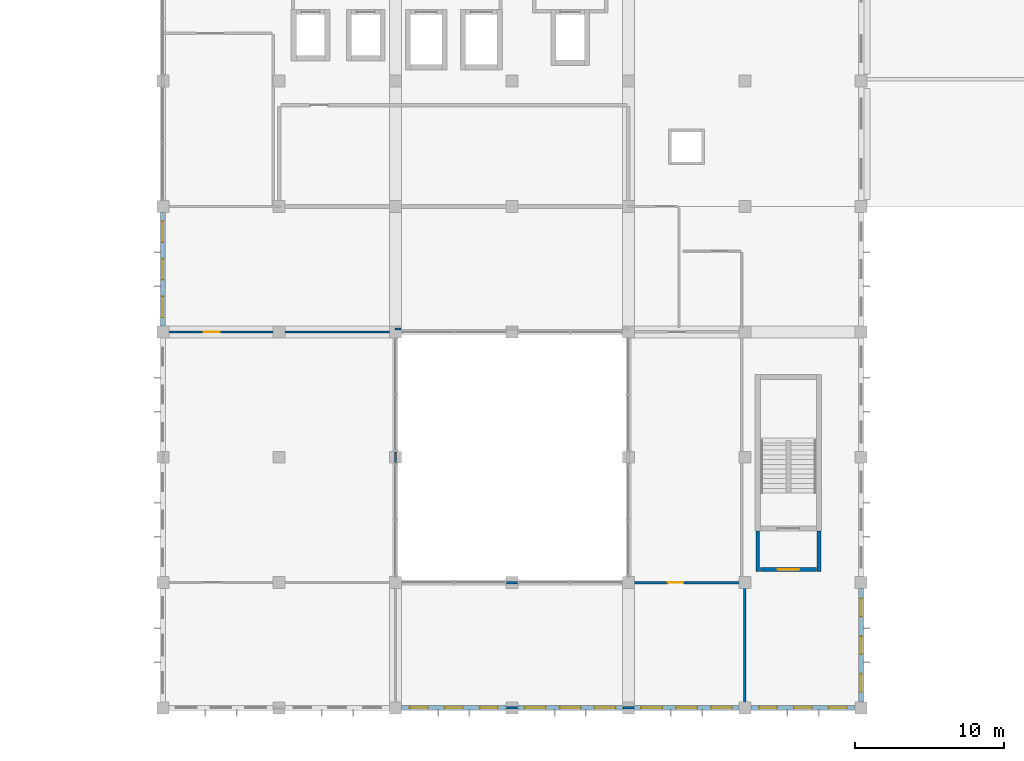
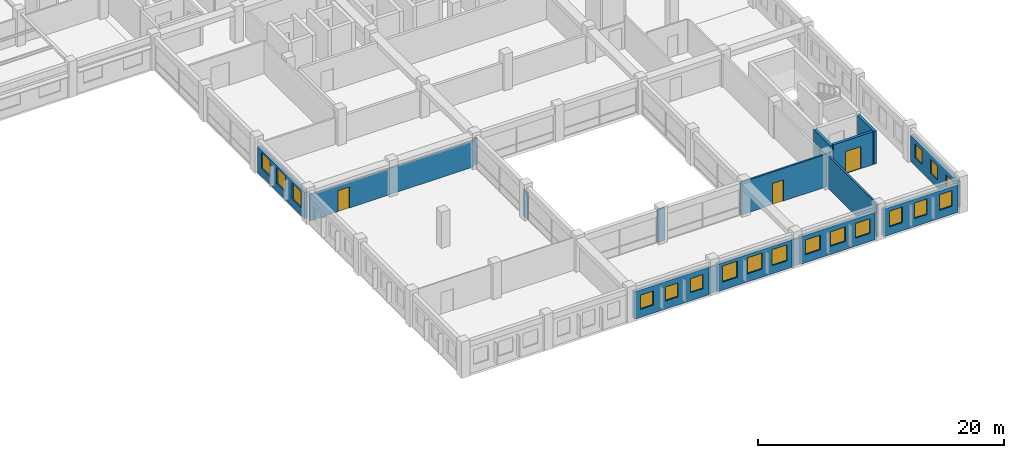
# One storey, part 39 of 50: 18 windows, 17 walls, 3 doors, 21 openings.
"""IFC4 building model written with IfcOpenShell, lengths in metres."""

from ifc_helpers import new_model, si_unit, direction, frame, frame_2d, origin, place, context, subcontext, project, spatial, rectangle, extrude, material, layer, layer_set, type_object, element, fill, save


model = new_model("IFC4")

# Units and contexts
model_context = context("Model", 3, precision=1e-05, world=origin(), true_north=direction((0.0, 1.0)))
body_context = subcontext(model_context, "Body", "Model", "MODEL_VIEW")
ifc_project = project(units=[si_unit("LENGTHUNIT", "METRE"), si_unit("AREAUNIT", "SQUARE_METRE"), si_unit("VOLUMEUNIT", "CUBIC_METRE"), si_unit("PLANEANGLEUNIT", "RADIAN"), si_unit("MASSUNIT", "GRAM", prefix="KILO"), si_unit("THERMODYNAMICTEMPERATUREUNIT", "KELVIN"), si_unit("POWERUNIT", "WATT")], contexts=[model_context])

# Site, building, storey
site_placement = place(None, origin())
site = spatial("IfcSite", under=ifc_project, at=site_placement, CompositionType="ELEMENT")
building_placement = place(site_placement, origin())
building = spatial("IfcBuilding", under=site, at=building_placement, Name="Srebrne Nadtorze General Hospital", CompositionType="ELEMENT")
storey_placement = place(building_placement, frame((0.0, 0.0, 14.39990234375)))
storey = spatial("IfcBuildingStorey", under=building, at=storey_placement, Name="L03", CompositionType="ELEMENT", Elevation=14.39990234375)

# Wall, opening, door
ifc_material_1 = material(Name="Gypsum Healthcare Partition")
ifc_layer_1 = layer(ifc_material_1, 0.139892578125)
ifc_layer_set_1 = layer_set([ifc_layer_1], Name="Gypsum Healthcare Partition")
wall_type_1 = type_object("IfcWallType", Name="Clinical partition 140", PredefinedType="PARTITIONING", material=ifc_layer_set_1)
wall_1_placement = place(storey_placement, frame((101.485107421875, 25.199951171875, 0.0), z_axis=(0.0, 0.0, 1.0), x_axis=(1.0, 0.0, 0.0)))
wall_1 = element("IfcWall", 1, at=wall_1_placement, inside=storey, type_object=wall_type_1, Name="Outpatient Rehabilitation Clinic wall WL-INT-L03-1627", PredefinedType="PARTITIONING", context=body_context, shape_type="SweptSolid", body=[
    extrude(rectangle(XDim=15.429931640625, YDim=0.139892578125, at=frame_2d((7.71484375, 0.0))), origin(), (0.0, 0.0, 1.0), 2.6201171875),
])
opening_1_placement = place(wall_1_placement, frame((2.673828125, 0.0, 0.0)))
opening_1 = element("IfcOpeningElement", 2, at=opening_1_placement, cuts=wall_1, Name="Opening D-L03-0271", PredefinedType="OPENING", context=body_context, shape_type="SweptSolid", body=[
    extrude(rectangle(XDim=1.050048828125, YDim=2.10009765625, at=frame_2d((0.52490234375, 1.050048828125))), frame((0.0, 0.08203125, 0.0), z_axis=(0.0, -1.0, 0.0), x_axis=(1.0, 0.0, 0.0)), (0.0, 0.0, 1.0), 0.163818359375),
])
ifc_material_2 = material(Name="Anodised Aluminium", Category="aluminium")
door_type_1 = type_object("IfcDoorType", Name="Single leaf door 1050x2100", OperationType="NOTDEFINED", PredefinedType="DOOR", material=ifc_material_2)
door_1_placement = place(opening_1_placement, frame((1.050048828125, 0.0, 0.0), z_axis=(0.0, 0.0, 1.0), x_axis=(-1.0, 0.0, 0.0)))
door_1 = element("IfcDoor", 3, at=door_1_placement, inside=storey, type_object=door_type_1, Name="Outpatient Rehabilitation Clinic door D-L03-0271", OperationType="SINGLE_SWING_RIGHT", OverallHeight=2.10009765625, OverallWidth=1.050048828125, PredefinedType="DOOR", context=body_context, shape_type="SweptSolid", body=[
    extrude(rectangle(XDim=1.050048828125, YDim=2.10009765625, at=frame_2d((0.52490234375, 1.050048828125))), frame((0.0, 0.02490234375, 0.0), z_axis=(0.0, -1.0, 0.0), x_axis=(1.0, 0.0, 0.0)), (0.0, 0.0, 1.0), 0.050048828125),
])
fill(opening_1, door_1)

# Walls
wall_2_placement = place(storey_placement, frame((117.0, 16.43994140625, 0.0), z_axis=(0.0, 0.0, 1.0), x_axis=(0.0, 1.0, 0.0)))
element("IfcWall", 4, at=wall_2_placement, inside=storey, type_object=wall_type_1, Name="Outpatient Rehabilitation Clinic wall WL-INT-L03-1629", PredefinedType="PARTITIONING", context=body_context, shape_type="SweptSolid", body=[
    extrude(rectangle(XDim=0.719970703125, YDim=0.139892578125, at=frame_2d((0.35986328125, 0.0))), origin(), (0.0, 0.0, 1.0), 2.6201171875),
])
wall_3_placement = place(storey_placement, frame((116.955078125, 25.39990234375, 0.0), z_axis=(0.0, 0.0, 1.0), x_axis=(1.0, 0.0, 0.0)))
element("IfcWall", 5, at=wall_3_placement, inside=storey, type_object=wall_type_1, Name="Outpatient Speech and Audiology Clinic wall WL-INT-L03-1662", PredefinedType="PARTITIONING", context=body_context, shape_type="SweptSolid", body=[
    extrude(rectangle(XDim=0.405029296875, YDim=0.139892578125, at=frame_2d((0.20263671875, 0.0))), origin(), (0.0, 0.0, 1.0), 2.6201171875),
])
ifc_material_3 = material(Name="Gypsum Healthcare Partition")
ifc_layer_2 = layer(ifc_material_3, 0.159912109375)
ifc_layer_set_2 = layer_set([ifc_layer_2], Name="Gypsum Healthcare Partition")
wall_type_2 = type_object("IfcWallType", Name="Clinical partition 160", PredefinedType="PARTITIONING", material=ifc_layer_set_2)
wall_4_placement = place(storey_placement, frame((124.43994140625, 8.39990234375, 0.0), z_axis=(0.0, 0.0, 1.0), x_axis=(1.0, 0.0, 0.0)))
element("IfcWall", 6, at=wall_4_placement, inside=storey, type_object=wall_type_2, Name="Outpatient Neurology Clinic wall WL-INT-L03-1622", PredefinedType="PARTITIONING", context=body_context, shape_type="SweptSolid", body=[
    extrude(rectangle(XDim=0.719970703125, YDim=0.159912109375, at=frame_2d((0.35986328125, 0.0))), origin(), (0.0, 0.0, 1.0), 3.25),
])

# Wall, opening, door
wall_5_placement = place(storey_placement, frame((132.239990234375, 8.39990234375, 0.0), z_axis=(0.0, 0.0, 1.0), x_axis=(1.0, 0.0, 0.0)))
wall_5 = element("IfcWall", 7, at=wall_5_placement, inside=storey, type_object=wall_type_2, Name="Outpatient Neurology Clinic wall WL-INT-L03-1623", PredefinedType="PARTITIONING", context=body_context, shape_type="SweptSolid", body=[
    extrude(rectangle(XDim=8.074951171875, YDim=0.159912109375, at=frame_2d((4.03759765625, 0.0))), origin(), (0.0, 0.0, 1.0), 3.25),
])
opening_2_placement = place(wall_5_placement, frame((2.997314453125, 0.0, 0.0)))
opening_2 = element("IfcOpeningElement", 8, at=opening_2_placement, cuts=wall_5, Name="Opening D-L03-0270", PredefinedType="OPENING", context=body_context, shape_type="SweptSolid", body=[
    extrude(rectangle(XDim=1.050048828125, YDim=2.10009765625, at=frame_2d((0.52490234375, 1.050048828125))), frame((0.0, 0.091796875, 0.0), z_axis=(0.0, -1.0, 0.0), x_axis=(1.0, 0.0, 0.0)), (0.0, 0.0, 1.0), 0.183837890625),
])
door_2_placement = place(opening_2_placement, frame((1.050048828125, 0.0, 0.0), z_axis=(0.0, 0.0, 1.0), x_axis=(-1.0, 0.0, 0.0)))
door_2 = element("IfcDoor", 9, at=door_2_placement, inside=storey, type_object=door_type_1, Name="Outpatient Neurology Clinic door D-L03-0270", OperationType="SINGLE_SWING_RIGHT", OverallHeight=2.10009765625, OverallWidth=1.050048828125, PredefinedType="DOOR", context=body_context, shape_type="SweptSolid", body=[
    extrude(rectangle(XDim=1.050048828125, YDim=2.10009765625, at=frame_2d((0.52490234375, 1.050048828125))), frame((0.0, 0.02490234375, 0.0), z_axis=(0.0, -1.0, 0.0), x_axis=(1.0, 0.0, 0.0)), (0.0, 0.0, 1.0), 0.050048828125),
])
fill(opening_2, door_2)

# Walls
for number, where, z_axis, x_axis, name in (
    (10, (124.43994140625, 0.0, 0.0), (0.0, 0.0, 1.0), (1.0, 0.0, 0.0), "Outpatient Neurology Clinic wall WL-INT-L03-1624"),
    (11, (132.239990234375, 0.0, 0.0), (0.0, 0.0, 1.0), (1.0, 0.0, 0.0), "Outpatient Neurology Clinic wall WL-INT-L03-1625"),
):
    element("IfcWall", number, at=place(storey_placement, frame(where, z_axis=z_axis, x_axis=x_axis)), inside=storey, type_object=wall_type_2, Name=name, PredefinedType="PARTITIONING", context=body_context, shape_type="SweptSolid", body=[
        extrude(rectangle(XDim=0.719970703125, YDim=0.159912109375, at=frame_2d((0.35986328125, 0.0))), origin(), (0.0, 0.0, 1.0), 2.6201171875),
    ])
wall_6_placement = place(storey_placement, frame((140.39990234375, 0.0849609375, 0.0), z_axis=(0.0, 0.0, 1.0), x_axis=(0.0, 1.0, 0.0)))
element("IfcWall", 12, at=wall_6_placement, inside=storey, type_object=wall_type_2, Name="Outpatient Neurology Clinic wall WL-INT-L03-1626", PredefinedType="PARTITIONING", context=body_context, shape_type="SweptSolid", body=[
    extrude(rectangle(XDim=8.22998046875, YDim=0.159912109375, at=frame_2d((4.114990234375, 0.0))), origin(), (0.0, 0.0, 1.0), 3.25),
])
ifc_material_4 = material(Name="Gypsum Healthcare Partition")
ifc_layer_3 = layer(ifc_material_4, 0.239990234375)
ifc_layer_set_3 = layer_set([ifc_layer_3], Name="Gypsum Healthcare Partition")
wall_type_3 = type_object("IfcWallType", Name="Corridor fire wall 240", PredefinedType="STANDARD", material=ifc_layer_set_3)
for number, where, z_axis, x_axis, name in (
    (13, (141.27490234375, 9.155029296875, 0.0), (0.0, 0.0, 1.0), (0.0, 1.0, 0.0), "Fire lobby wall ST-08 WL-INT-L03-0285"),
    (14, (145.375, 9.155029296875, 0.0), (0.0, 0.0, 1.0), (0.0, 1.0, 0.0), "Fire lobby wall ST-08 WL-INT-L03-0286"),
):
    element("IfcWall", number, at=place(storey_placement, frame(where, z_axis=z_axis, x_axis=x_axis)), inside=storey, type_object=wall_type_3, Name=name, PredefinedType="STANDARD", context=body_context, shape_type="SweptSolid", body=[
        extrude(rectangle(XDim=2.695068359375, YDim=0.239990234375, at=frame_2d((1.34765625, 0.0))), origin(), (0.0, 0.0, 1.0), 3.27001953125),
    ])

# Wall, opening, door
wall_7_placement = place(storey_placement, frame((141.449951171875, 9.27490234375, 0.0), z_axis=(0.0, 0.0, 1.0), x_axis=(1.0, 0.0, 0.0)))
wall_7 = element("IfcWall", 15, at=wall_7_placement, inside=storey, type_object=wall_type_3, Name="Fire lobby entry wall ST-08 WL-INT-L03-0287", PredefinedType="STANDARD", context=body_context, shape_type="SweptSolid", body=[
    extrude(rectangle(XDim=3.75, YDim=0.239990234375, at=frame_2d((1.875, 0.0))), origin(), (0.0, 0.0, 1.0), 3.27001953125),
])
opening_3_placement = place(wall_7_placement, frame((1.14990234375, 0.0, 0.0)))
opening_3 = element("IfcOpeningElement", 16, at=opening_3_placement, cuts=wall_7, Name="Opening D-L03-0072", PredefinedType="OPENING", context=body_context, shape_type="SweptSolid", body=[
    extrude(rectangle(XDim=1.449951171875, YDim=2.199951171875, at=frame_2d((0.72509765625, 1.10009765625))), frame((0.0, 0.1318359375, 0.0), z_axis=(0.0, -1.0, 0.0), x_axis=(1.0, 0.0, 0.0)), (0.0, 0.0, 1.0), 0.263916015625),
])
ifc_material_5 = material(Name="Anodised Aluminium", Category="aluminium")
door_type_2 = type_object("IfcDoorType", Name="Double leaf door 1450x2200", OperationType="DOUBLE_DOOR_SINGLE_SWING", PredefinedType="DOOR", material=ifc_material_5)
door_3_placement = place(opening_3_placement, origin())
door_3 = element("IfcDoor", 17, at=door_3_placement, inside=storey, type_object=door_type_2, Name="Fire lobby door ST-08 D-L03-0072", OperationType="DOUBLE_DOOR_SINGLE_SWING", OverallHeight=2.199951171875, OverallWidth=1.449951171875, PredefinedType="DOOR", context=body_context, shape_type="SweptSolid", body=[
    extrude(rectangle(XDim=1.449951171875, YDim=2.199951171875, at=frame_2d((0.72509765625, 1.10009765625))), frame((0.0, 0.02490234375, 0.0), z_axis=(0.0, -1.0, 0.0), x_axis=(1.0, 0.0, 0.0)), (0.0, 0.0, 1.0), 0.050048828125),
])
fill(opening_3, door_3)

# Wall, openings, windows
ifc_material_6 = material(Name="Concrete C40/50 precast", Category="concrete")
ifc_layer_4 = layer(ifc_material_6, 0.300048828125)
ifc_layer_set_4 = layer_set([ifc_layer_4], Name="Concrete C40/50 precast")
wall_type_4 = type_object("IfcWallType", Name="Limestone precast wall 300", PredefinedType="STANDARD", material=ifc_layer_set_4)
wall_8_placement = place(storey_placement, frame((117.39990234375, 0.0, 0.0), z_axis=(0.0, 0.0, 1.0), x_axis=(1.0, 0.0, 0.0)))
wall_8 = element("IfcWall", 18, at=wall_8_placement, inside=storey, type_object=wall_type_4, Name="Exterior wall WL-ENV-L03-0288", PredefinedType="STANDARD", context=body_context, shape_type="SweptSolid", body=[
    extrude(rectangle(XDim=7.0, YDim=0.300048828125, at=frame_2d((3.5, 0.0))), origin(), (0.0, 0.0, 1.0), 2.72021484375),
])
opening_4_placement = place(wall_8_placement, frame((0.56005859375, 0.0, 0.800048828125)))
opening_4 = element("IfcOpeningElement", 19, at=opening_4_placement, cuts=wall_8, Name="Opening WN-L03-0399", PredefinedType="OPENING", context=body_context, shape_type="SweptSolid", body=[
    extrude(rectangle(XDim=1.199951171875, YDim=1.39990234375, at=frame_2d((0.60009765625, 0.699951171875))), frame((0.0, 0.162109375, 0.0), z_axis=(0.0, -1.0, 0.0), x_axis=(1.0, 0.0, 0.0)), (0.0, 0.0, 1.0), 0.323974609375),
])
opening_5_placement = place(wall_8_placement, frame((2.89990234375, 0.0, 0.800048828125)))
opening_5 = element("IfcOpeningElement", 20, at=opening_5_placement, cuts=wall_8, Name="Opening WN-L03-0400", PredefinedType="OPENING", context=body_context, shape_type="SweptSolid", body=[
    extrude(rectangle(XDim=1.199951171875, YDim=1.39990234375, at=frame_2d((0.60009765625, 0.699951171875))), frame((0.0, 0.162109375, 0.0), z_axis=(0.0, -1.0, 0.0), x_axis=(1.0, 0.0, 0.0)), (0.0, 0.0, 1.0), 0.323974609375),
])
opening_6_placement = place(wall_8_placement, frame((5.239990234375, 0.0, 0.800048828125)))
opening_6 = element("IfcOpeningElement", 21, at=opening_6_placement, cuts=wall_8, Name="Opening WN-L03-0401", PredefinedType="OPENING", context=body_context, shape_type="SweptSolid", body=[
    extrude(rectangle(XDim=1.199951171875, YDim=1.39990234375, at=frame_2d((0.60009765625, 0.699951171875))), frame((0.0, 0.162109375, 0.0), z_axis=(0.0, -1.0, 0.0), x_axis=(1.0, 0.0, 0.0)), (0.0, 0.0, 1.0), 0.323974609375),
])
ifc_material_7 = material(Name="Triple Low-E Glazing", Category="glass")
window_type_1 = type_object("IfcWindowType", Name="Punched clinical window 1200x1400", PartitioningType="SINGLE_PANEL", PredefinedType="WINDOW", material=ifc_material_7)
window_1_placement = place(opening_4_placement, origin())
window_1 = element("IfcWindow", 22, at=window_1_placement, inside=storey, type_object=window_type_1, Name="Clinical window WN-L03-0399", OverallHeight=1.39990234375, OverallWidth=1.199951171875, PartitioningType="SINGLE_PANEL", PredefinedType="WINDOW", context=body_context, shape_type="SweptSolid", body=[
    extrude(rectangle(XDim=1.199951171875, YDim=1.39990234375, at=frame_2d((0.60009765625, 0.699951171875))), frame((0.0, 0.030029296875, 0.0), z_axis=(0.0, -1.0, 0.0), x_axis=(1.0, 0.0, 0.0)), (0.0, 0.0, 1.0), 0.06005859375),
])
fill(opening_4, window_1)
window_2_placement = place(opening_5_placement, origin())
window_2 = element("IfcWindow", 23, at=window_2_placement, inside=storey, type_object=window_type_1, Name="Clinical window WN-L03-0400", OverallHeight=1.39990234375, OverallWidth=1.199951171875, PartitioningType="SINGLE_PANEL", PredefinedType="WINDOW", context=body_context, shape_type="SweptSolid", body=[
    extrude(rectangle(XDim=1.199951171875, YDim=1.39990234375, at=frame_2d((0.60009765625, 0.699951171875))), frame((0.0, 0.030029296875, 0.0), z_axis=(0.0, -1.0, 0.0), x_axis=(1.0, 0.0, 0.0)), (0.0, 0.0, 1.0), 0.06005859375),
])
fill(opening_5, window_2)
window_3_placement = place(opening_6_placement, origin())
window_3 = element("IfcWindow", 24, at=window_3_placement, inside=storey, type_object=window_type_1, Name="Clinical window WN-L03-0401", OverallHeight=1.39990234375, OverallWidth=1.199951171875, PartitioningType="SINGLE_PANEL", PredefinedType="WINDOW", context=body_context, shape_type="SweptSolid", body=[
    extrude(rectangle(XDim=1.199951171875, YDim=1.39990234375, at=frame_2d((0.60009765625, 0.699951171875))), frame((0.0, 0.030029296875, 0.0), z_axis=(0.0, -1.0, 0.0), x_axis=(1.0, 0.0, 0.0)), (0.0, 0.0, 1.0), 0.06005859375),
])
fill(opening_6, window_3)

wall_9_placement = place(storey_placement, frame((125.199951171875, 0.0, 0.0), z_axis=(0.0, 0.0, 1.0), x_axis=(1.0, 0.0, 0.0)))
wall_9 = element("IfcWall", 25, at=wall_9_placement, inside=storey, type_object=wall_type_4, Name="Exterior wall WL-ENV-L03-0289", PredefinedType="STANDARD", context=body_context, shape_type="SweptSolid", body=[
    extrude(rectangle(XDim=7.0, YDim=0.300048828125, at=frame_2d((3.5, 0.0))), origin(), (0.0, 0.0, 1.0), 2.72021484375),
])
opening_7_placement = place(wall_9_placement, frame((0.4599609375, 0.0, 0.800048828125)))
opening_7 = element("IfcOpeningElement", 26, at=opening_7_placement, cuts=wall_9, Name="Opening WN-L03-0402", PredefinedType="OPENING", context=body_context, shape_type="SweptSolid", body=[
    extrude(rectangle(XDim=1.39990234375, YDim=1.60009765625, at=frame_2d((0.699951171875, 0.800048828125))), frame((0.0, 0.162109375, 0.0), z_axis=(0.0, -1.0, 0.0), x_axis=(1.0, 0.0, 0.0)), (0.0, 0.0, 1.0), 0.323974609375),
])
opening_8_placement = place(wall_9_placement, frame((2.800048828125, 0.0, 0.800048828125)))
opening_8 = element("IfcOpeningElement", 27, at=opening_8_placement, cuts=wall_9, Name="Opening WN-L03-0403", PredefinedType="OPENING", context=body_context, shape_type="SweptSolid", body=[
    extrude(rectangle(XDim=1.39990234375, YDim=1.60009765625, at=frame_2d((0.699951171875, 0.800048828125))), frame((0.0, 0.162109375, 0.0), z_axis=(0.0, -1.0, 0.0), x_axis=(1.0, 0.0, 0.0)), (0.0, 0.0, 1.0), 0.323974609375),
])
opening_9_placement = place(wall_9_placement, frame((5.139892578125, 0.0, 0.800048828125)))
opening_9 = element("IfcOpeningElement", 28, at=opening_9_placement, cuts=wall_9, Name="Opening WN-L03-0404", PredefinedType="OPENING", context=body_context, shape_type="SweptSolid", body=[
    extrude(rectangle(XDim=1.39990234375, YDim=1.60009765625, at=frame_2d((0.699951171875, 0.800048828125))), frame((0.0, 0.162109375, 0.0), z_axis=(0.0, -1.0, 0.0), x_axis=(1.0, 0.0, 0.0)), (0.0, 0.0, 1.0), 0.323974609375),
])
ifc_material_8 = material(Name="Triple Low-E Glazing", Category="glass")
window_type_2 = type_object("IfcWindowType", Name="Punched clinical window 1400x1600", PartitioningType="SINGLE_PANEL", PredefinedType="WINDOW", material=ifc_material_8)
window_4_placement = place(opening_7_placement, origin())
window_4 = element("IfcWindow", 29, at=window_4_placement, inside=storey, type_object=window_type_2, Name="Clinical window WN-L03-0402", OverallHeight=1.60009765625, OverallWidth=1.39990234375, PartitioningType="SINGLE_PANEL", PredefinedType="WINDOW", context=body_context, shape_type="SweptSolid", body=[
    extrude(rectangle(XDim=1.39990234375, YDim=1.60009765625, at=frame_2d((0.699951171875, 0.800048828125))), frame((0.0, 0.030029296875, 0.0), z_axis=(0.0, -1.0, 0.0), x_axis=(1.0, 0.0, 0.0)), (0.0, 0.0, 1.0), 0.06005859375),
])
fill(opening_7, window_4)
window_5_placement = place(opening_8_placement, origin())
window_5 = element("IfcWindow", 30, at=window_5_placement, inside=storey, type_object=window_type_2, Name="Clinical window WN-L03-0403", OverallHeight=1.60009765625, OverallWidth=1.39990234375, PartitioningType="SINGLE_PANEL", PredefinedType="WINDOW", context=body_context, shape_type="SweptSolid", body=[
    extrude(rectangle(XDim=1.39990234375, YDim=1.60009765625, at=frame_2d((0.699951171875, 0.800048828125))), frame((0.0, 0.030029296875, 0.0), z_axis=(0.0, -1.0, 0.0), x_axis=(1.0, 0.0, 0.0)), (0.0, 0.0, 1.0), 0.06005859375),
])
fill(opening_8, window_5)
window_6_placement = place(opening_9_placement, origin())
window_6 = element("IfcWindow", 31, at=window_6_placement, inside=storey, type_object=window_type_2, Name="Clinical window WN-L03-0404", OverallHeight=1.60009765625, OverallWidth=1.39990234375, PartitioningType="SINGLE_PANEL", PredefinedType="WINDOW", context=body_context, shape_type="SweptSolid", body=[
    extrude(rectangle(XDim=1.39990234375, YDim=1.60009765625, at=frame_2d((0.699951171875, 0.800048828125))), frame((0.0, 0.030029296875, 0.0), z_axis=(0.0, -1.0, 0.0), x_axis=(1.0, 0.0, 0.0)), (0.0, 0.0, 1.0), 0.06005859375),
])
fill(opening_9, window_6)

wall_10_placement = place(storey_placement, frame((133.0, 0.0, 0.0), z_axis=(0.0, 0.0, 1.0), x_axis=(1.0, 0.0, 0.0)))
wall_10 = element("IfcWall", 32, at=wall_10_placement, inside=storey, type_object=wall_type_4, Name="Exterior wall WL-ENV-L03-0290", PredefinedType="STANDARD", context=body_context, shape_type="SweptSolid", body=[
    extrude(rectangle(XDim=7.0, YDim=0.300048828125, at=frame_2d((3.5, 0.0))), origin(), (0.0, 0.0, 1.0), 2.72021484375),
])
opening_10_placement = place(wall_10_placement, frame((0.4599609375, 0.0, 0.800048828125)))
opening_10 = element("IfcOpeningElement", 33, at=opening_10_placement, cuts=wall_10, Name="Opening WN-L03-0405", PredefinedType="OPENING", context=body_context, shape_type="SweptSolid", body=[
    extrude(rectangle(XDim=1.39990234375, YDim=1.449951171875, at=frame_2d((0.699951171875, 0.72509765625))), frame((0.0, 0.162109375, 0.0), z_axis=(0.0, -1.0, 0.0), x_axis=(1.0, 0.0, 0.0)), (0.0, 0.0, 1.0), 0.323974609375),
])
opening_11_placement = place(wall_10_placement, frame((2.800048828125, 0.0, 0.800048828125)))
opening_11 = element("IfcOpeningElement", 34, at=opening_11_placement, cuts=wall_10, Name="Opening WN-L03-0406", PredefinedType="OPENING", context=body_context, shape_type="SweptSolid", body=[
    extrude(rectangle(XDim=1.39990234375, YDim=1.449951171875, at=frame_2d((0.699951171875, 0.72509765625))), frame((0.0, 0.162109375, 0.0), z_axis=(0.0, -1.0, 0.0), x_axis=(1.0, 0.0, 0.0)), (0.0, 0.0, 1.0), 0.323974609375),
])
opening_12_placement = place(wall_10_placement, frame((5.139892578125, 0.0, 0.800048828125)))
opening_12 = element("IfcOpeningElement", 35, at=opening_12_placement, cuts=wall_10, Name="Opening WN-L03-0407", PredefinedType="OPENING", context=body_context, shape_type="SweptSolid", body=[
    extrude(rectangle(XDim=1.39990234375, YDim=1.449951171875, at=frame_2d((0.699951171875, 0.72509765625))), frame((0.0, 0.162109375, 0.0), z_axis=(0.0, -1.0, 0.0), x_axis=(1.0, 0.0, 0.0)), (0.0, 0.0, 1.0), 0.323974609375),
])
ifc_material_9 = material(Name="Triple Low-E Glazing", Category="glass")
window_type_3 = type_object("IfcWindowType", Name="Punched clinical window 1400x1450", PartitioningType="SINGLE_PANEL", PredefinedType="WINDOW", material=ifc_material_9)
window_7_placement = place(opening_10_placement, origin())
window_7 = element("IfcWindow", 36, at=window_7_placement, inside=storey, type_object=window_type_3, Name="Clinical window WN-L03-0405", OverallHeight=1.449951171875, OverallWidth=1.39990234375, PartitioningType="SINGLE_PANEL", PredefinedType="WINDOW", context=body_context, shape_type="SweptSolid", body=[
    extrude(rectangle(XDim=1.39990234375, YDim=1.449951171875, at=frame_2d((0.699951171875, 0.72509765625))), frame((0.0, 0.030029296875, 0.0), z_axis=(0.0, -1.0, 0.0), x_axis=(1.0, 0.0, 0.0)), (0.0, 0.0, 1.0), 0.06005859375),
])
fill(opening_10, window_7)
window_8_placement = place(opening_11_placement, origin())
window_8 = element("IfcWindow", 37, at=window_8_placement, inside=storey, type_object=window_type_3, Name="Clinical window WN-L03-0406", OverallHeight=1.449951171875, OverallWidth=1.39990234375, PartitioningType="SINGLE_PANEL", PredefinedType="WINDOW", context=body_context, shape_type="SweptSolid", body=[
    extrude(rectangle(XDim=1.39990234375, YDim=1.449951171875, at=frame_2d((0.699951171875, 0.72509765625))), frame((0.0, 0.030029296875, 0.0), z_axis=(0.0, -1.0, 0.0), x_axis=(1.0, 0.0, 0.0)), (0.0, 0.0, 1.0), 0.06005859375),
])
fill(opening_11, window_8)
window_9_placement = place(opening_12_placement, origin())
window_9 = element("IfcWindow", 38, at=window_9_placement, inside=storey, type_object=window_type_3, Name="Clinical window WN-L03-0407", OverallHeight=1.449951171875, OverallWidth=1.39990234375, PartitioningType="SINGLE_PANEL", PredefinedType="WINDOW", context=body_context, shape_type="SweptSolid", body=[
    extrude(rectangle(XDim=1.39990234375, YDim=1.449951171875, at=frame_2d((0.699951171875, 0.72509765625))), frame((0.0, 0.030029296875, 0.0), z_axis=(0.0, -1.0, 0.0), x_axis=(1.0, 0.0, 0.0)), (0.0, 0.0, 1.0), 0.06005859375),
])
fill(opening_12, window_9)

wall_11_placement = place(storey_placement, frame((140.800048828125, 0.0, 0.0), z_axis=(0.0, 0.0, 1.0), x_axis=(1.0, 0.0, 0.0)))
wall_11 = element("IfcWall", 39, at=wall_11_placement, inside=storey, type_object=wall_type_4, Name="Exterior wall WL-ENV-L03-0291", PredefinedType="STANDARD", context=body_context, shape_type="SweptSolid", body=[
    extrude(rectangle(XDim=7.0, YDim=0.300048828125, at=frame_2d((3.5, 0.0))), origin(), (0.0, 0.0, 1.0), 2.72021484375),
])
opening_13_placement = place(wall_11_placement, frame((0.56005859375, 0.0, 0.800048828125)))
opening_13 = element("IfcOpeningElement", 40, at=opening_13_placement, cuts=wall_11, Name="Opening WN-L03-0408", PredefinedType="OPENING", context=body_context, shape_type="SweptSolid", body=[
    extrude(rectangle(XDim=1.199951171875, YDim=1.550048828125, at=frame_2d((0.60009765625, 0.77490234375))), frame((0.0, 0.162109375, 0.0), z_axis=(0.0, -1.0, 0.0), x_axis=(1.0, 0.0, 0.0)), (0.0, 0.0, 1.0), 0.323974609375),
])
opening_14_placement = place(wall_11_placement, frame((2.89990234375, 0.0, 0.800048828125)))
opening_14 = element("IfcOpeningElement", 41, at=opening_14_placement, cuts=wall_11, Name="Opening WN-L03-0409", PredefinedType="OPENING", context=body_context, shape_type="SweptSolid", body=[
    extrude(rectangle(XDim=1.199951171875, YDim=1.550048828125, at=frame_2d((0.60009765625, 0.77490234375))), frame((0.0, 0.162109375, 0.0), z_axis=(0.0, -1.0, 0.0), x_axis=(1.0, 0.0, 0.0)), (0.0, 0.0, 1.0), 0.323974609375),
])
opening_15_placement = place(wall_11_placement, frame((5.239990234375, 0.0, 0.800048828125)))
opening_15 = element("IfcOpeningElement", 42, at=opening_15_placement, cuts=wall_11, Name="Opening WN-L03-0410", PredefinedType="OPENING", context=body_context, shape_type="SweptSolid", body=[
    extrude(rectangle(XDim=1.199951171875, YDim=1.550048828125, at=frame_2d((0.60009765625, 0.77490234375))), frame((0.0, 0.162109375, 0.0), z_axis=(0.0, -1.0, 0.0), x_axis=(1.0, 0.0, 0.0)), (0.0, 0.0, 1.0), 0.323974609375),
])
ifc_material_10 = material(Name="Triple Low-E Glazing", Category="glass")
window_type_4 = type_object("IfcWindowType", Name="Punched clinical window 1200x1550", PartitioningType="SINGLE_PANEL", PredefinedType="WINDOW", material=ifc_material_10)
window_10_placement = place(opening_13_placement, origin())
window_10 = element("IfcWindow", 43, at=window_10_placement, inside=storey, type_object=window_type_4, Name="Clinical window WN-L03-0408", OverallHeight=1.550048828125, OverallWidth=1.199951171875, PartitioningType="SINGLE_PANEL", PredefinedType="WINDOW", context=body_context, shape_type="SweptSolid", body=[
    extrude(rectangle(XDim=1.199951171875, YDim=1.550048828125, at=frame_2d((0.60009765625, 0.77490234375))), frame((0.0, 0.030029296875, 0.0), z_axis=(0.0, -1.0, 0.0), x_axis=(1.0, 0.0, 0.0)), (0.0, 0.0, 1.0), 0.06005859375),
])
fill(opening_13, window_10)
window_11_placement = place(opening_14_placement, origin())
window_11 = element("IfcWindow", 44, at=window_11_placement, inside=storey, type_object=window_type_4, Name="Clinical window WN-L03-0409", OverallHeight=1.550048828125, OverallWidth=1.199951171875, PartitioningType="SINGLE_PANEL", PredefinedType="WINDOW", context=body_context, shape_type="SweptSolid", body=[
    extrude(rectangle(XDim=1.199951171875, YDim=1.550048828125, at=frame_2d((0.60009765625, 0.77490234375))), frame((0.0, 0.030029296875, 0.0), z_axis=(0.0, -1.0, 0.0), x_axis=(1.0, 0.0, 0.0)), (0.0, 0.0, 1.0), 0.06005859375),
])
fill(opening_14, window_11)
window_12_placement = place(opening_15_placement, origin())
window_12 = element("IfcWindow", 45, at=window_12_placement, inside=storey, type_object=window_type_4, Name="Clinical window WN-L03-0410", OverallHeight=1.550048828125, OverallWidth=1.199951171875, PartitioningType="SINGLE_PANEL", PredefinedType="WINDOW", context=body_context, shape_type="SweptSolid", body=[
    extrude(rectangle(XDim=1.199951171875, YDim=1.550048828125, at=frame_2d((0.60009765625, 0.77490234375))), frame((0.0, 0.030029296875, 0.0), z_axis=(0.0, -1.0, 0.0), x_axis=(1.0, 0.0, 0.0)), (0.0, 0.0, 1.0), 0.06005859375),
])
fill(opening_15, window_12)

wall_12_placement = place(storey_placement, frame((101.39990234375, 25.60009765625, 0.0), z_axis=(0.0, 0.0, 1.0), x_axis=(0.0, 1.0, 0.0)))
wall_12 = element("IfcWall", 46, at=wall_12_placement, inside=storey, type_object=wall_type_4, Name="Exterior wall WL-ENV-L03-0332", PredefinedType="STANDARD", context=body_context, shape_type="SweptSolid", body=[
    extrude(rectangle(XDim=7.599853515625, YDim=0.300048828125, at=frame_2d((3.7998046875, 0.0))), origin(), (0.0, 0.0, 1.0), 2.6201171875),
])
opening_16_placement = place(wall_12_placement, frame((0.580078125, 0.0, 0.800048828125)))
opening_16 = element("IfcOpeningElement", 47, at=opening_16_placement, cuts=wall_12, Name="Opening WN-L03-0482", PredefinedType="OPENING", context=body_context, shape_type="SweptSolid", body=[
    extrude(rectangle(XDim=1.39990234375, YDim=1.60009765625, at=frame_2d((0.699951171875, 0.800048828125))), frame((0.0, 0.162109375, 0.0), z_axis=(0.0, -1.0, 0.0), x_axis=(1.0, 0.0, 0.0)), (0.0, 0.0, 1.0), 0.323974609375),
])
opening_17_placement = place(wall_12_placement, frame((3.10009765625, 0.0, 0.800048828125)))
opening_17 = element("IfcOpeningElement", 48, at=opening_17_placement, cuts=wall_12, Name="Opening WN-L03-0483", PredefinedType="OPENING", context=body_context, shape_type="SweptSolid", body=[
    extrude(rectangle(XDim=1.39990234375, YDim=1.60009765625, at=frame_2d((0.699951171875, 0.800048828125))), frame((0.0, 0.162109375, 0.0), z_axis=(0.0, -1.0, 0.0), x_axis=(1.0, 0.0, 0.0)), (0.0, 0.0, 1.0), 0.323974609375),
])
opening_18_placement = place(wall_12_placement, frame((5.6201171875, 0.0, 0.800048828125)))
opening_18 = element("IfcOpeningElement", 49, at=opening_18_placement, cuts=wall_12, Name="Opening WN-L03-0484", PredefinedType="OPENING", context=body_context, shape_type="SweptSolid", body=[
    extrude(rectangle(XDim=1.39990234375, YDim=1.60009765625, at=frame_2d((0.699951171875, 0.800048828125))), frame((0.0, 0.162109375, 0.0), z_axis=(0.0, -1.0, 0.0), x_axis=(1.0, 0.0, 0.0)), (0.0, 0.0, 1.0), 0.323974609375),
])
window_13_placement = place(opening_16_placement, origin())
window_13 = element("IfcWindow", 50, at=window_13_placement, inside=storey, type_object=window_type_2, Name="Clinical window WN-L03-0482", OverallHeight=1.60009765625, OverallWidth=1.39990234375, PartitioningType="SINGLE_PANEL", PredefinedType="WINDOW", context=body_context, shape_type="SweptSolid", body=[
    extrude(rectangle(XDim=1.39990234375, YDim=1.60009765625, at=frame_2d((0.699951171875, 0.800048828125))), frame((0.0, 0.030029296875, 0.0), z_axis=(0.0, -1.0, 0.0), x_axis=(1.0, 0.0, 0.0)), (0.0, 0.0, 1.0), 0.06005859375),
])
fill(opening_16, window_13)
window_14_placement = place(opening_17_placement, origin())
window_14 = element("IfcWindow", 51, at=window_14_placement, inside=storey, type_object=window_type_2, Name="Clinical window WN-L03-0483", OverallHeight=1.60009765625, OverallWidth=1.39990234375, PartitioningType="SINGLE_PANEL", PredefinedType="WINDOW", context=body_context, shape_type="SweptSolid", body=[
    extrude(rectangle(XDim=1.39990234375, YDim=1.60009765625, at=frame_2d((0.699951171875, 0.800048828125))), frame((0.0, 0.030029296875, 0.0), z_axis=(0.0, -1.0, 0.0), x_axis=(1.0, 0.0, 0.0)), (0.0, 0.0, 1.0), 0.06005859375),
])
fill(opening_17, window_14)
window_15_placement = place(opening_18_placement, origin())
window_15 = element("IfcWindow", 52, at=window_15_placement, inside=storey, type_object=window_type_2, Name="Clinical window WN-L03-0484", OverallHeight=1.60009765625, OverallWidth=1.39990234375, PartitioningType="SINGLE_PANEL", PredefinedType="WINDOW", context=body_context, shape_type="SweptSolid", body=[
    extrude(rectangle(XDim=1.39990234375, YDim=1.60009765625, at=frame_2d((0.699951171875, 0.800048828125))), frame((0.0, 0.030029296875, 0.0), z_axis=(0.0, -1.0, 0.0), x_axis=(1.0, 0.0, 0.0)), (0.0, 0.0, 1.0), 0.06005859375),
])
fill(opening_18, window_15)

wall_13_placement = place(storey_placement, frame((148.199951171875, 0.39990234375, 0.0), z_axis=(0.0, 0.0, 1.0), x_axis=(0.0, 1.0, 0.0)))
wall_13 = element("IfcWall", 53, at=wall_13_placement, inside=storey, type_object=wall_type_4, Name="Exterior wall WL-ENV-L03-0333", PredefinedType="STANDARD", context=body_context, shape_type="SweptSolid", body=[
    extrude(rectangle(XDim=7.60009765625, YDim=0.300048828125, at=frame_2d((3.800048828125, 0.0))), origin(), (0.0, 0.0, 1.0), 2.6201171875),
])
opening_19_placement = place(wall_13_placement, frame((0.679931640625, 0.0, 0.800048828125)))
opening_19 = element("IfcOpeningElement", 54, at=opening_19_placement, cuts=wall_13, Name="Opening WN-L03-0485", PredefinedType="OPENING", context=body_context, shape_type="SweptSolid", body=[
    extrude(rectangle(XDim=1.199951171875, YDim=1.39990234375, at=frame_2d((0.60009765625, 0.699951171875))), frame((0.0, 0.162109375, 0.0), z_axis=(0.0, -1.0, 0.0), x_axis=(1.0, 0.0, 0.0)), (0.0, 0.0, 1.0), 0.323974609375),
])
opening_20_placement = place(wall_13_placement, frame((3.199951171875, 0.0, 0.800048828125)))
opening_20 = element("IfcOpeningElement", 55, at=opening_20_placement, cuts=wall_13, Name="Opening WN-L03-0486", PredefinedType="OPENING", context=body_context, shape_type="SweptSolid", body=[
    extrude(rectangle(XDim=1.199951171875, YDim=1.39990234375, at=frame_2d((0.60009765625, 0.699951171875))), frame((0.0, 0.162109375, 0.0), z_axis=(0.0, -1.0, 0.0), x_axis=(1.0, 0.0, 0.0)), (0.0, 0.0, 1.0), 0.323974609375),
])
opening_21_placement = place(wall_13_placement, frame((5.719970703125, 0.0, 0.800048828125)))
opening_21 = element("IfcOpeningElement", 56, at=opening_21_placement, cuts=wall_13, Name="Opening WN-L03-0487", PredefinedType="OPENING", context=body_context, shape_type="SweptSolid", body=[
    extrude(rectangle(XDim=1.199951171875, YDim=1.39990234375, at=frame_2d((0.60009765625, 0.699951171875))), frame((0.0, 0.162109375, 0.0), z_axis=(0.0, -1.0, 0.0), x_axis=(1.0, 0.0, 0.0)), (0.0, 0.0, 1.0), 0.323974609375),
])
window_16_placement = place(opening_19_placement, origin())
window_16 = element("IfcWindow", 57, at=window_16_placement, inside=storey, type_object=window_type_1, Name="Clinical window WN-L03-0485", OverallHeight=1.39990234375, OverallWidth=1.199951171875, PartitioningType="SINGLE_PANEL", PredefinedType="WINDOW", context=body_context, shape_type="SweptSolid", body=[
    extrude(rectangle(XDim=1.199951171875, YDim=1.39990234375, at=frame_2d((0.60009765625, 0.699951171875))), frame((0.0, 0.030029296875, 0.0), z_axis=(0.0, -1.0, 0.0), x_axis=(1.0, 0.0, 0.0)), (0.0, 0.0, 1.0), 0.06005859375),
])
fill(opening_19, window_16)
window_17_placement = place(opening_20_placement, origin())
window_17 = element("IfcWindow", 58, at=window_17_placement, inside=storey, type_object=window_type_1, Name="Clinical window WN-L03-0486", OverallHeight=1.39990234375, OverallWidth=1.199951171875, PartitioningType="SINGLE_PANEL", PredefinedType="WINDOW", context=body_context, shape_type="SweptSolid", body=[
    extrude(rectangle(XDim=1.199951171875, YDim=1.39990234375, at=frame_2d((0.60009765625, 0.699951171875))), frame((0.0, 0.030029296875, 0.0), z_axis=(0.0, -1.0, 0.0), x_axis=(1.0, 0.0, 0.0)), (0.0, 0.0, 1.0), 0.06005859375),
])
fill(opening_20, window_17)
window_18_placement = place(opening_21_placement, origin())
window_18 = element("IfcWindow", 59, at=window_18_placement, inside=storey, type_object=window_type_1, Name="Clinical window WN-L03-0487", OverallHeight=1.39990234375, OverallWidth=1.199951171875, PartitioningType="SINGLE_PANEL", PredefinedType="WINDOW", context=body_context, shape_type="SweptSolid", body=[
    extrude(rectangle(XDim=1.199951171875, YDim=1.39990234375, at=frame_2d((0.60009765625, 0.699951171875))), frame((0.0, 0.030029296875, 0.0), z_axis=(0.0, -1.0, 0.0), x_axis=(1.0, 0.0, 0.0)), (0.0, 0.0, 1.0), 0.06005859375),
])
fill(opening_21, window_18)

save(model, "model.ifc")
